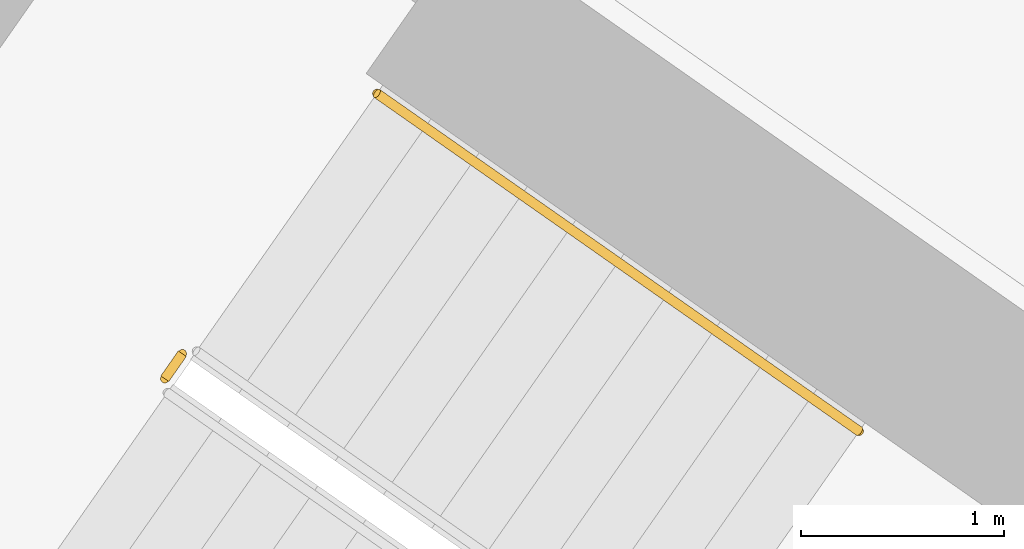
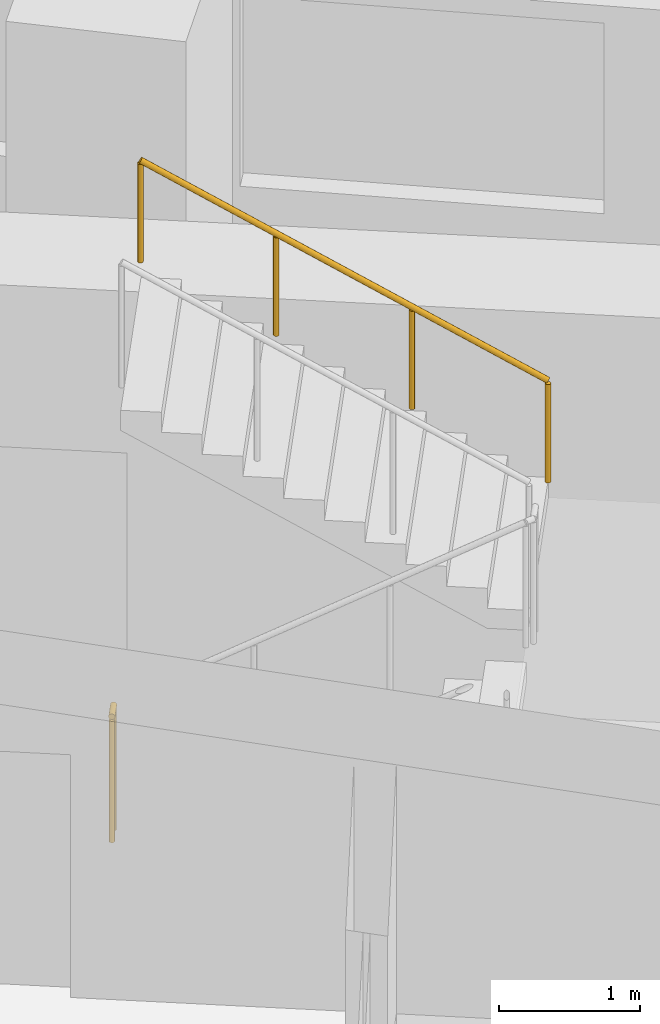
# One storey, part 29 of 33: 2 railings.
"""IFC4 building model written with IfcOpenShell, lengths in metres."""

from ifc_helpers import new_model, si_unit, direction, frame, origin, origin_2d, place, context, subcontext, project, spatial, circle, extrude, material, type_object, element, save


model = new_model("IFC4")

# Units and contexts
model_context = context("Model", 3, precision=1e-05, world=origin(), true_north=direction((0.0, 1.0)))
body_context = subcontext(model_context, "Body", "Model", "MODEL_VIEW")
ifc_project = project(units=[si_unit("LENGTHUNIT", "METRE"), si_unit("AREAUNIT", "SQUARE_METRE"), si_unit("VOLUMEUNIT", "CUBIC_METRE"), si_unit("PLANEANGLEUNIT", "RADIAN"), si_unit("MASSUNIT", "GRAM", prefix="KILO")], contexts=[model_context])

# Site, building, storey
site_placement = place(None, origin())
site = spatial("IfcSite", under=ifc_project, at=site_placement, CompositionType="ELEMENT")
building_placement = place(site_placement, origin())
building = spatial("IfcBuilding", under=site, at=building_placement, Name="Qamariyya Broadcast Tower", CompositionType="ELEMENT")
storey_placement = place(building_placement, frame((0.0, 0.0, 78.5)))
storey = spatial("IfcBuildingStorey", under=building, at=storey_placement, Name="L16", CompositionType="ELEMENT", Elevation=78.5)

# Railings
ifc_material_1 = material(Name="Painted steel", Category="steel")
railing_type_1 = type_object("IfcRailingType", Name="Stair guard", PredefinedType="GUARDRAIL", material=ifc_material_1)
railing_1_placement = place(storey_placement, frame((-41.158935546875, -48.455322265625, 0.0)))
element("IfcRailing", 1, at=railing_1_placement, inside=storey, type_object=railing_type_1, Name="L16 ST-W2 stair guard 3", PredefinedType="GUARDRAIL", context=body_context, shape_type="SweptSolid", body=[
    extrude(circle(Radius=0.02392578125, at=origin_2d()), frame((0.0, 0.0, 1.076171875), z_axis=(0.572588637393, 0.819842821722, 0.0), x_axis=(-0.819842821722, 0.572588637393, 0.0)), (0.0, 0.0, 1.0), 0.150146484375),
    extrude(circle(Radius=0.02099609375, at=origin_2d()), origin(), (0.0, 0.0, 1.0), 1.052001953125),
    extrude(circle(Radius=0.02099609375, at=origin_2d()), frame((0.0859375, 0.123046875, 0.0)), (0.0, 0.0, 1.0), 1.052001953125),
])
ifc_material_2 = material(Name="Stainless steel", Category="steel")
railing_type_2 = type_object("IfcRailingType", Name="Stair handrail", PredefinedType="HANDRAIL", material=ifc_material_2)
railing_2_placement = place(storey_placement, frame((-37.73876953125, -48.7138671875, 2.07275390625)))
element("IfcRailing", 2, at=railing_2_placement, inside=storey, type_object=railing_type_2, Name="L16 ST-W2 stair handrail 2", PredefinedType="HANDRAIL", context=body_context, shape_type="SweptSolid", body=[
    extrude(circle(Radius=0.02392578125, at=origin_2d()), frame((0.0, 0.0, 0.8759765625), z_axis=(-0.703745009021, 0.492838488332, 0.511715923826), x_axis=(-0.573631830683, -0.819113253969, 0.0)), (0.0, 0.0, 1.0), 3.37548828125),
    extrude(circle(Radius=0.02099609375, at=origin_2d()), origin(), (0.0, 0.0, 1.0), 0.851806640625),
    extrude(circle(Radius=0.02099609375, at=origin_2d()), frame((-0.791748046875, 0.554443359375, 0.57568359375)), (0.0, 0.0, 1.0), 0.851806640625),
    extrude(circle(Radius=0.02099609375, at=origin_2d()), frame((-1.583740234375, 1.109130859375, 1.151611328125)), (0.0, 0.0, 1.0), 0.851806640625),
    extrude(circle(Radius=0.02099609375, at=origin_2d()), frame((-2.37548828125, 1.66357421875, 1.727294921875)), (0.0, 0.0, 1.0), 0.851806640625),
])

save(model, "model.ifc")
